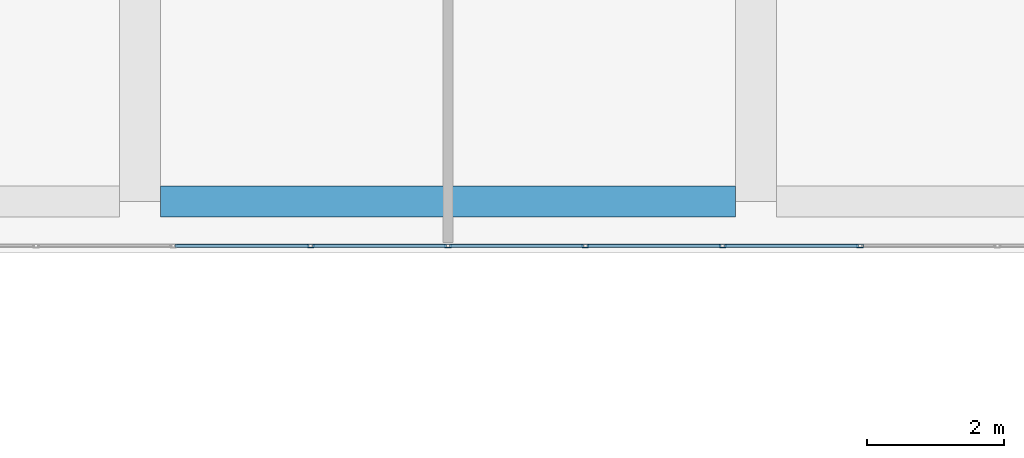
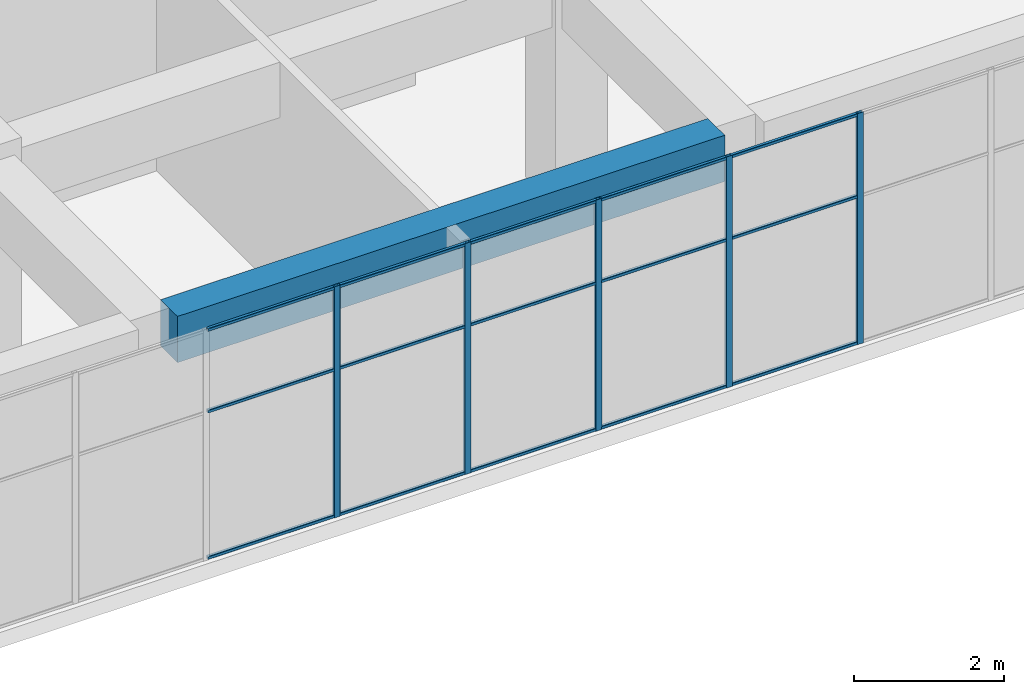
# One storey, part 16 of 66: 20 members, 1 beam, 1 element without a shape of its own.
"""IFC4 building model written with IfcOpenShell, lengths in metres."""

from ifc_helpers import new_model, si_unit, direction, frame, origin, origin_2d, place, context, subcontext, project, spatial, rectangle, hollow_rectangle, extrude, material, layer, layer_set, material_profile, profile_set, type_object, element, aggregate, save


model = new_model("IFC4")

# Units and contexts
model_context = context("Model", 3, precision=1e-05, world=origin(), true_north=direction((0.0, 1.0)))
body_context = subcontext(model_context, "Body", "Model", "MODEL_VIEW")
ifc_project = project(units=[si_unit("LENGTHUNIT", "METRE"), si_unit("AREAUNIT", "SQUARE_METRE"), si_unit("VOLUMEUNIT", "CUBIC_METRE"), si_unit("PLANEANGLEUNIT", "RADIAN"), si_unit("MASSUNIT", "GRAM", prefix="KILO")], contexts=[model_context])

# Site, building, storey
site_placement = place(None, origin())
site = spatial("IfcSite", under=ifc_project, at=site_placement, CompositionType="ELEMENT")
building_placement = place(site_placement, origin())
building = spatial("IfcBuilding", under=site, at=building_placement, Name="Tuart Plaza Theatre", CompositionType="ELEMENT")
storey_placement = place(building_placement, frame((0.0, 0.0, 5.5)))
storey = spatial("IfcBuildingStorey", under=building, at=storey_placement, Name="L01", CompositionType="ELEMENT", Elevation=5.5)

# Beam
ifc_material_1 = material(Name="Concrete N40 (40 MPa)", Category="concrete")
ifc_material_profile_1 = material_profile(ifc_material_1, rectangle(XDim=0.449951171875, YDim=0.75, at=origin_2d()), Name="BEAM 450x750 Concrete N40 (40 MPa)")
ifc_profile_set_1 = profile_set([ifc_material_profile_1], Name="Concrete N40 (40 MPa)")
beam_type = type_object("IfcBeamType", Name="BEAM 450x750 Concrete N40 (40 MPa)", PredefinedType="BEAM", material=ifc_profile_set_1)
beam_placement = place(storey_placement, frame((132.300048828125, 51.5, 3.375), z_axis=(1.0, 0.0, 0.0), x_axis=(0.0, 1.0, 0.0)))
element("IfcBeam", 1, at=beam_placement, inside=storey, type_object=beam_type, Name="RB182", PredefinedType="BEAM", context=body_context, shape_type="SweptSolid", body=[
    extrude(rectangle(XDim=0.449951171875, YDim=0.75, at=origin_2d()), origin(), (0.0, 0.0, 1.0), 8.39990234375),
])

# Curtain wall, members
ifc_material_2 = material(Name="Aluminium and glass", Category="aluminium")
ifc_layer = layer(ifc_material_2, 0.10009765625)
ifc_layer_set = layer_set([ifc_layer], Name="CURTAIN WALL 2000 module")
curtain_wall_type = type_object("IfcCurtainWallType", Name="CURTAIN WALL 2000 module", PredefinedType="NOTDEFINED", material=ifc_layer_set)
curtain_wall_placement = place(storey_placement, origin())
curtain_wall = element("IfcCurtainWall", 2, at=curtain_wall_placement, inside=storey, type_object=curtain_wall_type, Name="CW68", PredefinedType="NOTDEFINED")
ifc_material_3 = material(Name="Aluminium 6063-T5", Category="aluminium")
ifc_material_profile_2 = material_profile(ifc_material_3, hollow_rectangle(XDim=0.050048828125, YDim=0.10009765625, WallThickness=0.00390625, InnerFilletRadius=0.00390625, OuterFilletRadius=0.008056640625, at=origin_2d()), Name="RHS 100x50x4")
ifc_profile_set_2 = profile_set([ifc_material_profile_2], Name="Aluminium 6063-T5")
member_type_1 = type_object("IfcMemberType", Name="MULLION RHS 100x50x4", PredefinedType="MULLION", material=ifc_profile_set_2)
member_1_placement = place(storey_placement, frame((134.492919921875, 50.85009765625, 0.0), z_axis=(0.0, 0.0, 1.0), x_axis=(0.0, 1.0, 0.0)))
member_1 = element("IfcMember", 3, at=member_1_placement, type_object=member_type_1, Name="CW68 mullion 7", PredefinedType="MULLION", context=body_context, shape_type="SweptSolid", body=[
    extrude(hollow_rectangle(XDim=0.050048828125, YDim=0.10009765625, WallThickness=0.00390625, InnerFilletRadius=0.00390625, OuterFilletRadius=0.008056640625, at=origin_2d()), origin(), (0.0, 0.0, 1.0), 3.75),
])
member_2_placement = place(storey_placement, frame((136.5, 50.85009765625, 0.0), z_axis=(0.0, 0.0, 1.0), x_axis=(0.0, 1.0, 0.0)))
member_2 = element("IfcMember", 4, at=member_2_placement, type_object=member_type_1, Name="CW68 mullion 8", PredefinedType="MULLION", context=body_context, shape_type="SweptSolid", body=[
    extrude(hollow_rectangle(XDim=0.050048828125, YDim=0.10009765625, WallThickness=0.00390625, InnerFilletRadius=0.00390625, OuterFilletRadius=0.008056640625, at=origin_2d()), origin(), (0.0, 0.0, 1.0), 3.75),
])
member_3_placement = place(storey_placement, frame((138.507080078125, 50.85009765625, 0.0), z_axis=(0.0, 0.0, 1.0), x_axis=(0.0, 1.0, 0.0)))
member_3 = element("IfcMember", 5, at=member_3_placement, type_object=member_type_1, Name="CW68 mullion 9", PredefinedType="MULLION", context=body_context, shape_type="SweptSolid", body=[
    extrude(hollow_rectangle(XDim=0.050048828125, YDim=0.10009765625, WallThickness=0.00390625, InnerFilletRadius=0.00390625, OuterFilletRadius=0.008056640625, at=origin_2d()), origin(), (0.0, 0.0, 1.0), 3.75),
])
member_4_placement = place(storey_placement, frame((140.514404296875, 50.85009765625, 0.0), z_axis=(0.0, 0.0, 1.0), x_axis=(0.0, 1.0, 0.0)))
member_4 = element("IfcMember", 6, at=member_4_placement, type_object=member_type_1, Name="CW68 mullion 10", PredefinedType="MULLION", context=body_context, shape_type="SweptSolid", body=[
    extrude(hollow_rectangle(XDim=0.050048828125, YDim=0.10009765625, WallThickness=0.00390625, InnerFilletRadius=0.00390625, OuterFilletRadius=0.008056640625, at=origin_2d()), origin(), (0.0, 0.0, 1.0), 3.75),
])
member_5_placement = place(storey_placement, frame((142.521484375, 50.85009765625, 0.0), z_axis=(0.0, 0.0, 1.0), x_axis=(0.0, 1.0, 0.0)))
member_5 = element("IfcMember", 7, at=member_5_placement, type_object=member_type_1, Name="CW68 mullion 11", PredefinedType="MULLION", context=body_context, shape_type="SweptSolid", body=[
    extrude(hollow_rectangle(XDim=0.050048828125, YDim=0.10009765625, WallThickness=0.00390625, InnerFilletRadius=0.00390625, OuterFilletRadius=0.008056640625, at=origin_2d()), origin(), (0.0, 0.0, 1.0), 3.75),
])
ifc_material_4 = material(Name="Aluminium 6063-T5", Category="aluminium")
ifc_material_profile_3 = material_profile(ifc_material_4, hollow_rectangle(XDim=0.050048828125, YDim=0.050048828125, WallThickness=0.00390625, InnerFilletRadius=0.00390625, OuterFilletRadius=0.008056640625, at=origin_2d()), Name="RHS 50x50x4")
ifc_profile_set_3 = profile_set([ifc_material_profile_3], Name="Aluminium 6063-T5")
member_type_2 = type_object("IfcMemberType", Name="TRANSOM RHS 50x50x4", PredefinedType="USERDEFINED", material=ifc_profile_set_3)
member_6_placement = place(storey_placement, frame((132.5107421875, 50.85009765625, 0.02490234375), z_axis=(1.0, 0.0, 0.0), x_axis=(0.0, 1.0, 0.0)))
member_6 = element("IfcMember", 8, at=member_6_placement, type_object=member_type_2, Name="CW68 transom 6.1", ObjectType="TRANSOM", PredefinedType="USERDEFINED", context=body_context, shape_type="SweptSolid", body=[
    extrude(hollow_rectangle(XDim=0.050048828125, YDim=0.050048828125, WallThickness=0.00390625, InnerFilletRadius=0.00390625, OuterFilletRadius=0.008056640625, at=origin_2d()), origin(), (0.0, 0.0, 1.0), 1.95703125),
])
member_7_placement = place(storey_placement, frame((132.5107421875, 50.85009765625, 2.39990234375), z_axis=(1.0, 0.0, 0.0), x_axis=(0.0, 1.0, 0.0)))
member_7 = element("IfcMember", 9, at=member_7_placement, type_object=member_type_2, Name="CW68 transom 6.2", ObjectType="TRANSOM", PredefinedType="USERDEFINED", context=body_context, shape_type="SweptSolid", body=[
    extrude(hollow_rectangle(XDim=0.050048828125, YDim=0.050048828125, WallThickness=0.00390625, InnerFilletRadius=0.00390625, OuterFilletRadius=0.008056640625, at=origin_2d()), origin(), (0.0, 0.0, 1.0), 1.95703125),
])
member_8_placement = place(storey_placement, frame((132.5107421875, 50.85009765625, 3.72509765625), z_axis=(1.0, 0.0, 0.0), x_axis=(0.0, 1.0, 0.0)))
member_8 = element("IfcMember", 10, at=member_8_placement, type_object=member_type_2, Name="CW68 transom 6.3", ObjectType="TRANSOM", PredefinedType="USERDEFINED", context=body_context, shape_type="SweptSolid", body=[
    extrude(hollow_rectangle(XDim=0.050048828125, YDim=0.050048828125, WallThickness=0.00390625, InnerFilletRadius=0.00390625, OuterFilletRadius=0.008056640625, at=origin_2d()), origin(), (0.0, 0.0, 1.0), 1.95703125),
])
member_9_placement = place(storey_placement, frame((134.517822265625, 50.85009765625, 0.02490234375), z_axis=(1.0, 0.0, 0.0), x_axis=(0.0, 1.0, 0.0)))
member_9 = element("IfcMember", 11, at=member_9_placement, type_object=member_type_2, Name="CW68 transom 7.1", ObjectType="TRANSOM", PredefinedType="USERDEFINED", context=body_context, shape_type="SweptSolid", body=[
    extrude(hollow_rectangle(XDim=0.050048828125, YDim=0.050048828125, WallThickness=0.00390625, InnerFilletRadius=0.00390625, OuterFilletRadius=0.008056640625, at=origin_2d()), origin(), (0.0, 0.0, 1.0), 1.957275390625),
])
member_10_placement = place(storey_placement, frame((134.517822265625, 50.85009765625, 2.39990234375), z_axis=(1.0, 0.0, 0.0), x_axis=(0.0, 1.0, 0.0)))
member_10 = element("IfcMember", 12, at=member_10_placement, type_object=member_type_2, Name="CW68 transom 7.2", ObjectType="TRANSOM", PredefinedType="USERDEFINED", context=body_context, shape_type="SweptSolid", body=[
    extrude(hollow_rectangle(XDim=0.050048828125, YDim=0.050048828125, WallThickness=0.00390625, InnerFilletRadius=0.00390625, OuterFilletRadius=0.008056640625, at=origin_2d()), origin(), (0.0, 0.0, 1.0), 1.957275390625),
])
member_11_placement = place(storey_placement, frame((134.517822265625, 50.85009765625, 3.72509765625), z_axis=(1.0, 0.0, 0.0), x_axis=(0.0, 1.0, 0.0)))
member_11 = element("IfcMember", 13, at=member_11_placement, type_object=member_type_2, Name="CW68 transom 7.3", ObjectType="TRANSOM", PredefinedType="USERDEFINED", context=body_context, shape_type="SweptSolid", body=[
    extrude(hollow_rectangle(XDim=0.050048828125, YDim=0.050048828125, WallThickness=0.00390625, InnerFilletRadius=0.00390625, OuterFilletRadius=0.008056640625, at=origin_2d()), origin(), (0.0, 0.0, 1.0), 1.957275390625),
])
member_12_placement = place(storey_placement, frame((136.52490234375, 50.85009765625, 0.02490234375), z_axis=(1.0, 0.0, 0.0), x_axis=(0.0, 1.0, 0.0)))
member_12 = element("IfcMember", 14, at=member_12_placement, type_object=member_type_2, Name="CW68 transom 8.1", ObjectType="TRANSOM", PredefinedType="USERDEFINED", context=body_context, shape_type="SweptSolid", body=[
    extrude(hollow_rectangle(XDim=0.050048828125, YDim=0.050048828125, WallThickness=0.00390625, InnerFilletRadius=0.00390625, OuterFilletRadius=0.008056640625, at=origin_2d()), origin(), (0.0, 0.0, 1.0), 1.957275390625),
])
member_13_placement = place(storey_placement, frame((136.52490234375, 50.85009765625, 2.39990234375), z_axis=(1.0, 0.0, 0.0), x_axis=(0.0, 1.0, 0.0)))
member_13 = element("IfcMember", 15, at=member_13_placement, type_object=member_type_2, Name="CW68 transom 8.2", ObjectType="TRANSOM", PredefinedType="USERDEFINED", context=body_context, shape_type="SweptSolid", body=[
    extrude(hollow_rectangle(XDim=0.050048828125, YDim=0.050048828125, WallThickness=0.00390625, InnerFilletRadius=0.00390625, OuterFilletRadius=0.008056640625, at=origin_2d()), origin(), (0.0, 0.0, 1.0), 1.957275390625),
])
member_14_placement = place(storey_placement, frame((136.52490234375, 50.85009765625, 3.72509765625), z_axis=(1.0, 0.0, 0.0), x_axis=(0.0, 1.0, 0.0)))
member_14 = element("IfcMember", 16, at=member_14_placement, type_object=member_type_2, Name="CW68 transom 8.3", ObjectType="TRANSOM", PredefinedType="USERDEFINED", context=body_context, shape_type="SweptSolid", body=[
    extrude(hollow_rectangle(XDim=0.050048828125, YDim=0.050048828125, WallThickness=0.00390625, InnerFilletRadius=0.00390625, OuterFilletRadius=0.008056640625, at=origin_2d()), origin(), (0.0, 0.0, 1.0), 1.957275390625),
])
member_15_placement = place(storey_placement, frame((138.5322265625, 50.85009765625, 0.02490234375), z_axis=(1.0, 0.0, 0.0), x_axis=(0.0, 1.0, 0.0)))
member_15 = element("IfcMember", 17, at=member_15_placement, type_object=member_type_2, Name="CW68 transom 9.1", ObjectType="TRANSOM", PredefinedType="USERDEFINED", context=body_context, shape_type="SweptSolid", body=[
    extrude(hollow_rectangle(XDim=0.050048828125, YDim=0.050048828125, WallThickness=0.00390625, InnerFilletRadius=0.00390625, OuterFilletRadius=0.008056640625, at=origin_2d()), origin(), (0.0, 0.0, 1.0), 1.95703125),
])
member_16_placement = place(storey_placement, frame((138.5322265625, 50.85009765625, 2.39990234375), z_axis=(1.0, 0.0, 0.0), x_axis=(0.0, 1.0, 0.0)))
member_16 = element("IfcMember", 18, at=member_16_placement, type_object=member_type_2, Name="CW68 transom 9.2", ObjectType="TRANSOM", PredefinedType="USERDEFINED", context=body_context, shape_type="SweptSolid", body=[
    extrude(hollow_rectangle(XDim=0.050048828125, YDim=0.050048828125, WallThickness=0.00390625, InnerFilletRadius=0.00390625, OuterFilletRadius=0.008056640625, at=origin_2d()), origin(), (0.0, 0.0, 1.0), 1.95703125),
])
member_17_placement = place(storey_placement, frame((138.5322265625, 50.85009765625, 3.72509765625), z_axis=(1.0, 0.0, 0.0), x_axis=(0.0, 1.0, 0.0)))
member_17 = element("IfcMember", 19, at=member_17_placement, type_object=member_type_2, Name="CW68 transom 9.3", ObjectType="TRANSOM", PredefinedType="USERDEFINED", context=body_context, shape_type="SweptSolid", body=[
    extrude(hollow_rectangle(XDim=0.050048828125, YDim=0.050048828125, WallThickness=0.00390625, InnerFilletRadius=0.00390625, OuterFilletRadius=0.008056640625, at=origin_2d()), origin(), (0.0, 0.0, 1.0), 1.95703125),
])
member_18_placement = place(storey_placement, frame((140.539306640625, 50.85009765625, 0.02490234375), z_axis=(1.0, 0.0, 0.0), x_axis=(0.0, 1.0, 0.0)))
member_18 = element("IfcMember", 20, at=member_18_placement, type_object=member_type_2, Name="CW68 transom 10.1", ObjectType="TRANSOM", PredefinedType="USERDEFINED", context=body_context, shape_type="SweptSolid", body=[
    extrude(hollow_rectangle(XDim=0.050048828125, YDim=0.050048828125, WallThickness=0.00390625, InnerFilletRadius=0.00390625, OuterFilletRadius=0.008056640625, at=origin_2d()), origin(), (0.0, 0.0, 1.0), 1.95703125),
])
member_19_placement = place(storey_placement, frame((140.539306640625, 50.85009765625, 2.39990234375), z_axis=(1.0, 0.0, 0.0), x_axis=(0.0, 1.0, 0.0)))
member_19 = element("IfcMember", 21, at=member_19_placement, type_object=member_type_2, Name="CW68 transom 10.2", ObjectType="TRANSOM", PredefinedType="USERDEFINED", context=body_context, shape_type="SweptSolid", body=[
    extrude(hollow_rectangle(XDim=0.050048828125, YDim=0.050048828125, WallThickness=0.00390625, InnerFilletRadius=0.00390625, OuterFilletRadius=0.008056640625, at=origin_2d()), origin(), (0.0, 0.0, 1.0), 1.95703125),
])
member_20_placement = place(storey_placement, frame((140.539306640625, 50.85009765625, 3.72509765625), z_axis=(1.0, 0.0, 0.0), x_axis=(0.0, 1.0, 0.0)))
member_20 = element("IfcMember", 22, at=member_20_placement, type_object=member_type_2, Name="CW68 transom 10.3", ObjectType="TRANSOM", PredefinedType="USERDEFINED", context=body_context, shape_type="SweptSolid", body=[
    extrude(hollow_rectangle(XDim=0.050048828125, YDim=0.050048828125, WallThickness=0.00390625, InnerFilletRadius=0.00390625, OuterFilletRadius=0.008056640625, at=origin_2d()), origin(), (0.0, 0.0, 1.0), 1.95703125),
])
aggregate(curtain_wall, [member_1, member_2, member_3, member_4, member_5, member_6, member_7, member_8, member_9, member_10, member_11, member_12, member_13, member_14, member_15, member_16, member_17, member_18, member_19, member_20])

save(model, "model.ifc")
